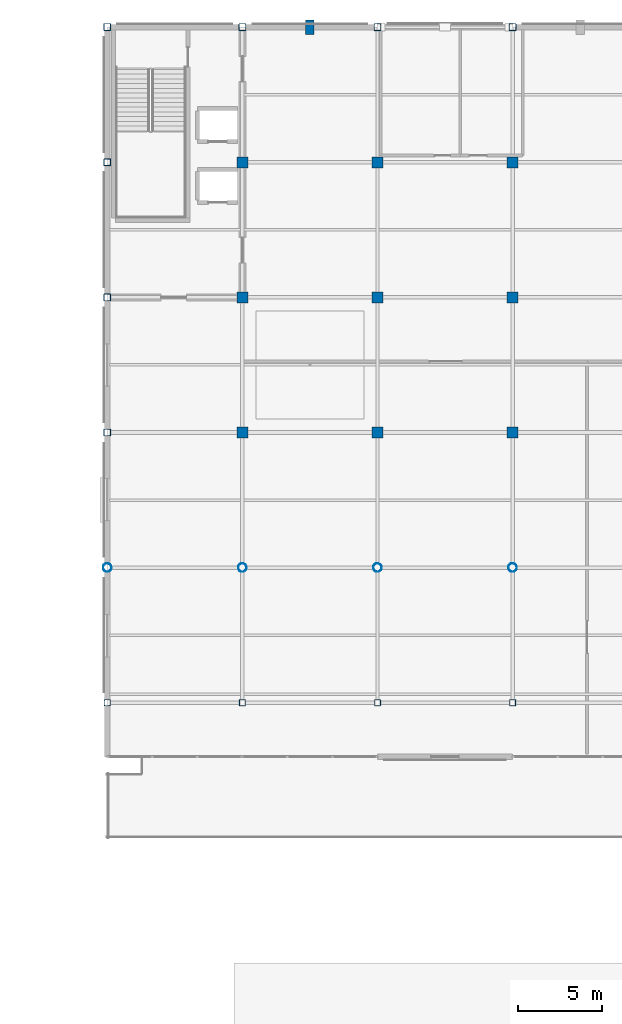
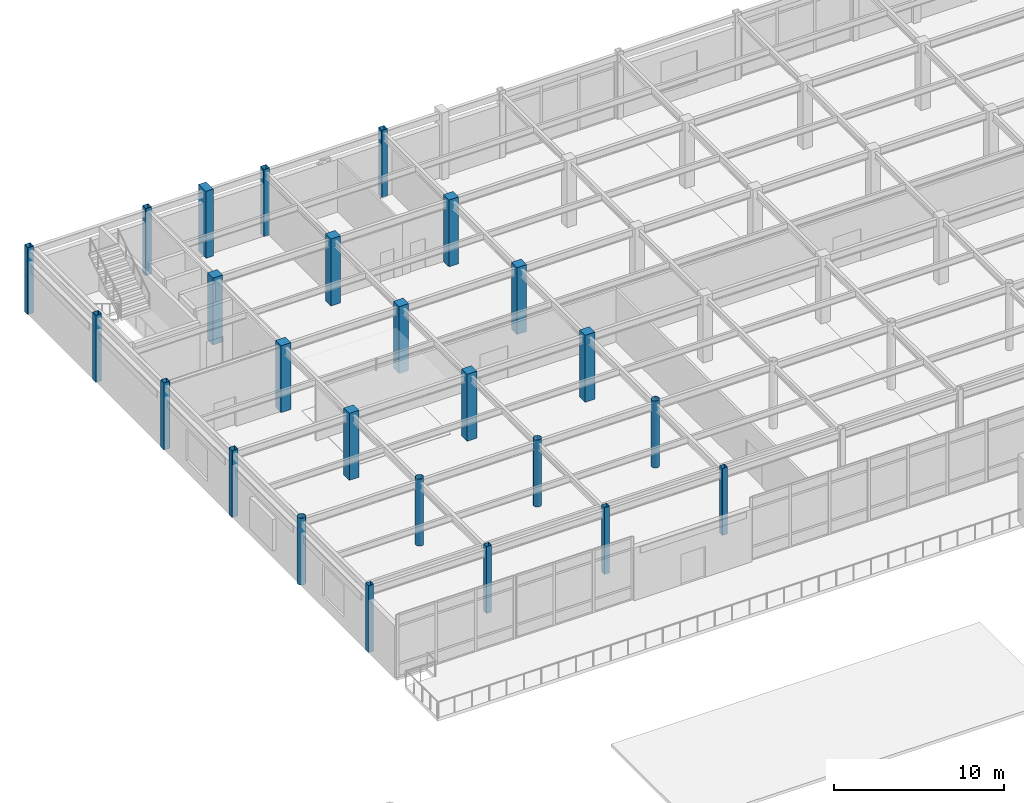
# One storey, part 10 of 117: 25 columns.
"""IFC4 building model written with IfcOpenShell, lengths in metres."""

from ifc_helpers import new_model, si_unit, direction, frame, origin, origin_2d, place, context, subcontext, project, spatial, rectangle, hollow_rectangle, hollow_circle, extrude, material, material_profile, profile_set, type_object, element, save


model = new_model("IFC4")

# Units and contexts
model_context = context("Model", 3, precision=1e-05, world=origin(), true_north=direction((0.0, 1.0)))
body_context = subcontext(model_context, "Body", "Model", "MODEL_VIEW")
ifc_project = project(units=[si_unit("LENGTHUNIT", "METRE"), si_unit("AREAUNIT", "SQUARE_METRE"), si_unit("VOLUMEUNIT", "CUBIC_METRE"), si_unit("PLANEANGLEUNIT", "RADIAN"), si_unit("MASSUNIT", "GRAM", prefix="KILO")], contexts=[model_context])

# Site, building, storey
site_placement = place(None, origin())
site = spatial("IfcSite", under=ifc_project, at=site_placement, CompositionType="ELEMENT")
building_placement = place(site_placement, origin())
building = spatial("IfcBuilding", under=site, at=building_placement, Name="Solmirada Galleria", CompositionType="ELEMENT")
storey_placement = place(building_placement, frame((0.0, 0.0, 5.60009765625)))
storey = spatial("IfcBuildingStorey", under=building, at=storey_placement, Name="L01", CompositionType="ELEMENT", Elevation=5.60009765625)

# Columns
ifc_material_1 = material(Name="Steel S355 / ASTM A500 Grade C", Category="steel")
ifc_material_profile_1 = material_profile(ifc_material_1, hollow_circle(Radius=0.25390625, WallThickness=0.01171875, at=origin_2d()), Name="HSS20.000X0.500")
ifc_profile_set_1 = profile_set([ifc_material_profile_1], Name="Steel S355 / ASTM A500 Grade C")
column_type_1 = type_object("IfcColumnType", Name="COL-CHS20", PredefinedType="COLUMN", material=ifc_profile_set_1)
for number, where, z_axis, x_axis, name in (
    (1, (40.0, 88.0, 0.0), (0.0, 0.0, 1.0), (1.0, 0.0, 0.0), "Structural column L01-0047"),
    (2, (48.0, 88.0, 0.0), (0.0, 0.0, 1.0), (1.0, 0.0, 0.0), "Structural column L01-0114"),
    (3, (56.0, 88.0, 0.0), (0.0, 0.0, 1.0), (1.0, 0.0, 0.0), "Structural column L01-0181"),
    (4, (64.0, 88.0, 0.0), (0.0, 0.0, 1.0), (1.0, 0.0, 0.0), "Structural column L01-0245"),
):
    element("IfcColumn", number, at=place(storey_placement, frame(where, z_axis=z_axis, x_axis=x_axis)), inside=storey, type_object=column_type_1, Name=name, PredefinedType="COLUMN", context=body_context, shape_type="SweptSolid", body=[
        extrude(hollow_circle(Radius=0.25390625, WallThickness=0.01171875, at=origin_2d()), origin(), (0.0, 0.0, 1.0), 4.7998046875),
    ])
ifc_material_profile_2 = material_profile(ifc_material_1, hollow_rectangle(XDim=0.35595703125, YDim=0.35595703125, WallThickness=0.01171875, InnerFilletRadius=0.01171875, OuterFilletRadius=0.023681640625, at=origin_2d()), Name="HSS14X14X1/2")
ifc_profile_set_2 = profile_set([ifc_material_profile_2], Name="Steel S355 / ASTM A500 Grade C")
column_type_2 = type_object("IfcColumnType", Name="COL-HSS14", PredefinedType="COLUMN", material=ifc_profile_set_2)
for number, where, z_axis, x_axis, name in (
    (5, (40.0, 80.0, 0.0), (0.0, 0.0, 1.0), (1.0, 0.0, 0.0), "Structural column L01-0043"),
    (6, (48.0, 80.0, 0.0), (0.0, 0.0, 1.0), (1.0, 0.0, 0.0), "Structural column L01-0110"),
    (7, (56.0, 80.0, 0.0), (0.0, 0.0, 1.0), (1.0, 0.0, 0.0), "Structural column L01-0177"),
    (8, (64.0, 80.0, 0.0), (0.0, 0.0, 1.0), (1.0, 0.0, 0.0), "Structural column L01-0241"),
):
    element("IfcColumn", number, at=place(storey_placement, frame(where, z_axis=z_axis, x_axis=x_axis)), inside=storey, type_object=column_type_2, Name=name, PredefinedType="COLUMN", context=body_context, shape_type="SweptSolid", body=[
        extrude(hollow_rectangle(XDim=0.35595703125, YDim=0.35595703125, WallThickness=0.01171875, InnerFilletRadius=0.01171875, OuterFilletRadius=0.023681640625, at=origin_2d()), origin(), (0.0, 0.0, 1.0), 4.7998046875),
    ])
ifc_material_profile_3 = material_profile(ifc_material_1, hollow_rectangle(XDim=0.406005859375, YDim=0.406005859375, WallThickness=0.0146484375, InnerFilletRadius=0.0146484375, OuterFilletRadius=0.029296875, at=origin_2d()), Name="HSS16X16X5/8")
ifc_profile_set_3 = profile_set([ifc_material_profile_3], Name="Steel S355 / ASTM A500 Grade C")
column_type_3 = type_object("IfcColumnType", Name="COL-HSS16", PredefinedType="COLUMN", material=ifc_profile_set_3)
for number, where, z_axis, x_axis, name in (
    (9, (40.0, 96.0, 0.0), (0.0, 0.0, 1.0), (1.0, 0.0, 0.0), "Structural column L01-0054"),
    (10, (40.0, 104.0, 0.0), (0.0, 0.0, 1.0), (1.0, 0.0, 0.0), "Structural column L01-0061"),
    (11, (40.0, 112.0, 0.0), (0.0, 0.0, 1.0), (1.0, 0.0, 0.0), "Structural column L01-0068"),
    (12, (40.0, 120.0, 0.0), (0.0, 0.0, 1.0), (1.0, 0.0, 0.0), "Structural column L01-0075"),
    (13, (48.0, 120.0, 0.0), (0.0, 0.0, 1.0), (1.0, 0.0, 0.0), "Structural column L01-0142"),
    (14, (56.0, 120.0, 0.0), (0.0, 0.0, 1.0), (1.0, 0.0, 0.0), "Structural column L01-0209"),
    (15, (64.0, 120.0, 0.0), (0.0, 0.0, 1.0), (1.0, 0.0, 0.0), "Structural column L01-0273"),
):
    element("IfcColumn", number, at=place(storey_placement, frame(where, z_axis=z_axis, x_axis=x_axis)), inside=storey, type_object=column_type_3, Name=name, PredefinedType="COLUMN", context=body_context, shape_type="SweptSolid", body=[
        extrude(hollow_rectangle(XDim=0.406005859375, YDim=0.406005859375, WallThickness=0.0146484375, InnerFilletRadius=0.0146484375, OuterFilletRadius=0.029296875, at=origin_2d()), origin(), (0.0, 0.0, 1.0), 4.7998046875),
    ])
ifc_material_2 = material(Name="Concrete C40/50", Category="concrete")
ifc_material_profile_4 = material_profile(ifc_material_2, rectangle(XDim=0.64990234375, YDim=0.64990234375, at=origin_2d()), Name="RC650X650")
ifc_profile_set_4 = profile_set([ifc_material_profile_4], Name="Concrete C40/50")
column_type_4 = type_object("IfcColumnType", Name="COL-RC650", PredefinedType="COLUMN", material=ifc_profile_set_4)
for number, where, z_axis, x_axis, name in (
    (16, (48.0, 96.0, 0.0), (0.0, 0.0, 1.0), (1.0, 0.0, 0.0), "Structural column L01-0121"),
    (17, (48.0, 104.0, 0.0), (0.0, 0.0, 1.0), (1.0, 0.0, 0.0), "Structural column L01-0128"),
    (18, (48.0, 112.0, 0.0), (0.0, 0.0, 1.0), (1.0, 0.0, 0.0), "Structural column L01-0135"),
    (19, (56.0, 96.0, 0.0), (0.0, 0.0, 1.0), (1.0, 0.0, 0.0), "Structural column L01-0188"),
    (20, (56.0, 104.0, 0.0), (0.0, 0.0, 1.0), (1.0, 0.0, 0.0), "Structural column L01-0195"),
    (21, (56.0, 112.0, 0.0), (0.0, 0.0, 1.0), (1.0, 0.0, 0.0), "Structural column L01-0202"),
    (22, (64.0, 96.0, 0.0), (0.0, 0.0, 1.0), (1.0, 0.0, 0.0), "Structural column L01-0252"),
    (23, (64.0, 104.0, 0.0), (0.0, 0.0, 1.0), (1.0, 0.0, 0.0), "Structural column L01-0259"),
    (24, (64.0, 112.0, 0.0), (0.0, 0.0, 1.0), (1.0, 0.0, 0.0), "Structural column L01-0266"),
):
    element("IfcColumn", number, at=place(storey_placement, frame(where, z_axis=z_axis, x_axis=x_axis)), inside=storey, type_object=column_type_4, Name=name, PredefinedType="COLUMN", context=body_context, shape_type="SweptSolid", body=[
        extrude(rectangle(XDim=0.64990234375, YDim=0.64990234375, at=origin_2d()), origin(), (0.0, 0.0, 1.0), 4.7998046875),
    ])
ifc_material_3 = material(Name="Precast concrete C40/50", Category="concrete")
ifc_material_profile_5 = material_profile(ifc_material_3, rectangle(XDim=0.5, YDim=0.85009765625, at=origin_2d()), Name="RC850X500")
ifc_profile_set_5 = profile_set([ifc_material_profile_5], Name="Precast concrete C40/50")
column_type_5 = type_object("IfcColumnType", Name="PIL-RC850", PredefinedType="PILASTER", material=ifc_profile_set_5)
column_placement = place(storey_placement, frame((52.0, 120.0, 0.0), z_axis=(0.0, 0.0, 1.0), x_axis=(1.0, 0.0, 0.0)))
element("IfcColumn", 25, at=column_placement, inside=storey, type_object=column_type_5, Name="Avenue pilaster L01-003", PredefinedType="PILASTER", context=body_context, shape_type="SweptSolid", body=[
    extrude(rectangle(XDim=0.5, YDim=0.85009765625, at=origin_2d()), origin(), (0.0, 0.0, 1.0), 4.7998046875),
])

save(model, "model.ifc")
